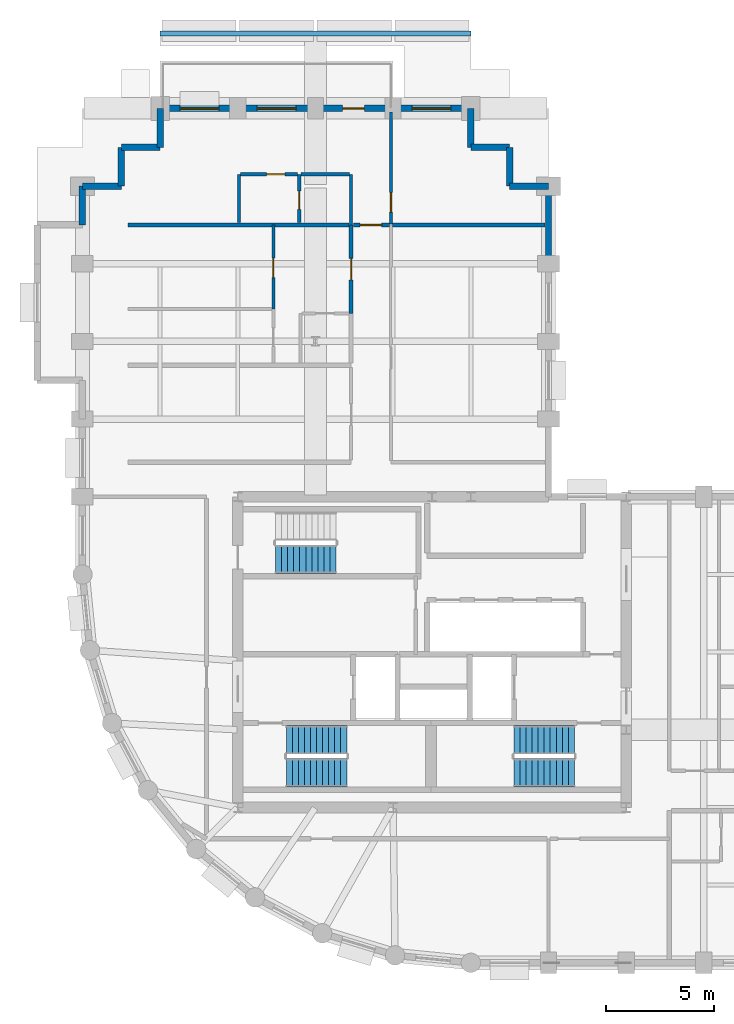
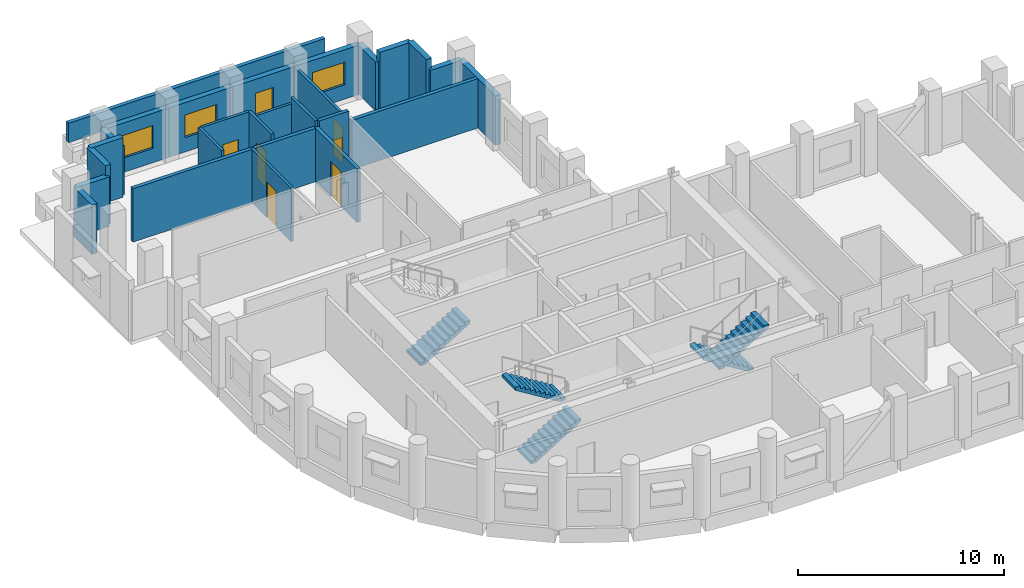
# One storey, part 7 of 10: 26 walls, 7 doors, 5 stair flights, 3 windows, 10 openings, 3 elements without a shape of their own.
"""IFC4 building model written with IfcOpenShell, lengths in metres."""

import ifcopenshell
import ifcopenshell.guid

model = None  # the IFC model being written
_history = None  # IfcOwnerHistory: only IFC2X3 demands one
_inside = {}  # id of a spatial element -> (the spatial element, [elements in it])
_under = {}  # id of a project, library or spatial element -> (it, [spatial elements below it])
_declared = {}  # id of a project -> (the project, [libraries it declares])
_typed = {}  # id of a type object -> (the type object, [elements of that type])
_made_of = {}  # id of a material, layer set ... -> (it, [elements and type objects made of it])


def new_model(schema):
    """Start an empty IFC model of exactly this schema.

    Asked for "IFC4X3", IfcOpenShell would pick the latest addendum, in which some entities
    have other attributes; the version numbers below select the first issue.
    IFC2X3 requires an IfcOwnerHistory on every rooted entity: one is made here for all.
    """
    global model, _history
    if schema == "IFC4X3":
        model = ifcopenshell.file(schema_version=(4, 3, 0, 0))
    else:
        model = ifcopenshell.file(schema=schema)
    _inside.clear()
    _under.clear()
    _declared.clear()
    _typed.clear()
    _made_of.clear()
    _history = None
    if model.schema == "IFC2X3":
        org = make("IfcOrganization", Name="unknown")
        user = make(
            "IfcPersonAndOrganization",
            ThePerson=make("IfcPerson", FamilyName="unknown"),
            TheOrganization=org,
        )
        app = make(
            "IfcApplication",
            ApplicationDeveloper=org,
            Version="unknown",
            ApplicationFullName="unknown",
            ApplicationIdentifier="unknown",
        )
        _history = make(
            "IfcOwnerHistory",
            OwningUser=user,
            OwningApplication=app,
            ChangeAction="ADDED",
            CreationDate=0,
        )
    return model


def make(cls, **values):
    """One entity of the class cls with the attributes given. An attribute that is None is left unset."""
    return model.create_entity(
        cls, **{name: value for name, value in values.items() if value is not None}
    )


def rooted(cls, **values):
    """An entity with a GlobalId (a new one), such as an element, a storey or a relation."""
    return make(cls, GlobalId=ifcopenshell.guid.new(), OwnerHistory=_history, **values)


def si_unit(unit_type, name, prefix=None):
    """IfcSIUnit, for example si_unit("LENGTHUNIT", "METRE", prefix="MILLI")."""
    return make("IfcSIUnit", UnitType=unit_type, Prefix=prefix, Name=name)


def assignment(units):
    """IfcUnitAssignment: the units of a project."""
    return None if units is None else make("IfcUnitAssignment", Units=units)


def point(xyz):
    """IfcCartesianPoint."""
    return None if xyz is None else make("IfcCartesianPoint", Coordinates=xyz)


def direction(xyz):
    """IfcDirection."""
    return None if xyz is None else make("IfcDirection", DirectionRatios=xyz)


def frame(location, z_axis=None, x_axis=None):
    """IfcAxis2Placement3D, a coordinate frame: its origin and axes. An axis left out is left unset."""
    return make(
        "IfcAxis2Placement3D",
        Location=point(location),
        Axis=direction(z_axis),
        RefDirection=direction(x_axis),
    )


def frame_2d(location, x_axis=None):
    """IfcAxis2Placement2D, a coordinate frame in the plane: its origin and x axis."""
    return make(
        "IfcAxis2Placement2D", Location=point(location), RefDirection=direction(x_axis)
    )


def origin():
    """The frame at (0, 0, 0) with its axes left unset."""
    return frame((0.0, 0.0, 0.0))


def place(relative_to, where):
    """IfcLocalPlacement: puts the frame where relative to a parent placement (None: the world)."""
    return make(
        "IfcLocalPlacement", PlacementRelTo=relative_to, RelativePlacement=where
    )


def context(
    kind, dimensions, precision=None, world=None, true_north=None, identifier=None
):
    """IfcGeometricRepresentationContext, for example the 3D "Model" context."""
    return make(
        "IfcGeometricRepresentationContext",
        ContextIdentifier=identifier,
        ContextType=kind,
        CoordinateSpaceDimension=dimensions,
        Precision=precision,
        WorldCoordinateSystem=world,
        TrueNorth=true_north,
    )


def subcontext(parent, identifier, kind, view, scale=None):
    """IfcGeometricRepresentationSubContext, for example "Body" below "Model"."""
    return make(
        "IfcGeometricRepresentationSubContext",
        ContextIdentifier=identifier,
        ContextType=kind,
        ParentContext=parent,
        TargetScale=scale,
        TargetView=view,
    )


def project(units=None, contexts=None):
    """IfcProject with its units and contexts."""
    return rooted(
        "IfcProject",
        Name="project",
        RepresentationContexts=contexts,
        UnitsInContext=assignment(units),
    )


def spatial(cls, under=None, at=None, **own):
    """A site, building, storey or space (cls), placed at a placement, below another one or the project."""
    s = rooted(cls, ObjectPlacement=at, **own)
    if under is not None:
        _under.setdefault(under.id(), (under, []))[1].append(s)
    return s


def polyline(points):
    """IfcPolyline through the points."""
    return make("IfcPolyline", Points=[point(p) for p in points])


def profile(cls, at=None, kind="AREA", **sizes):
    """A parametric profile (cls). Its sizes go by their IFC names, for example OverallWidth=200.0."""
    return make(cls, ProfileType=kind, Position=at, **sizes)


def rectangle(**sizes):
    """IfcRectangleProfileDef."""
    return profile("IfcRectangleProfileDef", **sizes)


def outline(outer, holes=None, kind="AREA"):
    """IfcArbitraryClosedProfileDef: a profile drawn as a closed curve; with holes, ...WithVoids."""
    if holes is None:
        return make("IfcArbitraryClosedProfileDef", ProfileType=kind, OuterCurve=outer)
    return make(
        "IfcArbitraryProfileDefWithVoids",
        ProfileType=kind,
        OuterCurve=outer,
        InnerCurves=holes,
    )


def extrude(swept, where, along, depth):
    """IfcExtrudedAreaSolid: the profile swept, set in the frame where, extruded along a direction by depth."""
    return make(
        "IfcExtrudedAreaSolid",
        SweptArea=swept,
        Position=where,
        ExtrudedDirection=direction(along),
        Depth=depth,
    )


def shape(context_of_items, identifier, shape_type, items):
    """IfcShapeRepresentation: the items that make up one representation, for example the "Body"."""
    return make(
        "IfcShapeRepresentation",
        ContextOfItems=context_of_items,
        RepresentationIdentifier=identifier,
        RepresentationType=shape_type,
        Items=items,
    )


def material(Name=None, Category=None):
    """IfcMaterial."""
    return make("IfcMaterial", Name=Name, Category=Category)


def layer(
    of_material, thickness, ventilated=None, Name=None, Category=None, Priority=None
):
    """IfcMaterialLayer: one layer of a wall or slab, of a material (None: an air gap)."""
    return make(
        "IfcMaterialLayer",
        Material=of_material,
        LayerThickness=thickness,
        IsVentilated=ventilated,
        Name=Name,
        Category=Category,
        Priority=Priority,
    )


def layer_set(layers, Name=None):
    """IfcMaterialLayerSet."""
    return make("IfcMaterialLayerSet", MaterialLayers=layers, LayerSetName=Name)


def made_of(thing, what):
    """Note that an element or type object is made of a material, layer set ...; save() writes the relation."""
    if what is not None:
        _made_of.setdefault(what.id(), (what, []))[1].append(thing)
    return thing


def type_object(cls, material=None, **own):
    """A type object (cls), such as IfcWallType, which elements share."""
    return made_of(rooted(cls, **own), material)


def element(
    cls,
    number,
    at=None,
    inside=None,
    cuts=None,
    type_object=None,
    material=None,
    context=None,
    identifier="Body",
    shape_type=None,
    held_by="IfcProductDefinitionShape",
    body=None,
    shapes=None,
    **own,
):
    """One element of the class cls, such as IfcWall. Its Tag is "e" and its number.

    at: its placement. inside: the storey or other place that contains it. cuts: it is an
    opening in that element (IfcRelVoidsElement). A single representation is given by context,
    identifier, shape_type and body (its items); several are given by shapes. held_by: the class
    of the entity that holds the representations. save() writes the other relations.
    """
    e = rooted(cls, Tag="e%d" % number, ObjectPlacement=at, **own)
    if body is not None:
        shapes = [shape(context, identifier, shape_type, body)]
    if shapes is not None:
        e.Representation = make(held_by, Representations=shapes)
    if inside is not None:
        _inside.setdefault(inside.id(), (inside, []))[1].append(e)
    if cuts is not None:
        rooted(
            "IfcRelVoidsElement", RelatingBuildingElement=cuts, RelatedOpeningElement=e
        )
    if type_object is not None:
        _typed.setdefault(type_object.id(), (type_object, []))[1].append(e)
    return made_of(e, material)


def fill(opening, filler):
    """IfcRelFillsElement: the door or window that sits in an opening."""
    return rooted(
        "IfcRelFillsElement",
        RelatingOpeningElement=opening,
        RelatedBuildingElement=filler,
    )


def aggregate(whole, parts):
    """IfcRelAggregates: a whole, such as a stair, and the parts it consists of."""
    return rooted("IfcRelAggregates", RelatingObject=whole, RelatedObjects=parts)


def save(model, path):
    """Write the relations noted so far, then the file.

    IfcRelAggregates (storeys below a building ...), IfcRelContainedInSpatialStructure (elements
    in a storey), IfcRelDefinesByType, IfcRelAssociatesMaterial and IfcRelDeclares: one each for
    every whole, place, type object, material and project.
    """
    for whole, parts in _under.values():
        aggregate(whole, parts)
    for where, things in _inside.values():
        rooted(
            "IfcRelContainedInSpatialStructure",
            RelatedElements=things,
            RelatingStructure=where,
        )
    for kind, things in _typed.values():
        rooted("IfcRelDefinesByType", RelatedObjects=things, RelatingType=kind)
    for what, things in _made_of.values():
        rooted("IfcRelAssociatesMaterial", RelatedObjects=things, RelatingMaterial=what)
    for by, libraries in _declared.values():
        rooted("IfcRelDeclares", RelatingContext=by, RelatedDefinitions=libraries)
    model.write(path)


model = new_model("IFC4")

# Units and contexts
model_context = context("Model", 3, precision=1e-05, world=origin(), true_north=direction((0.0, 1.0)))
body_context = subcontext(model_context, "Body", "Model", "MODEL_VIEW")
ifc_project = project(units=[si_unit("LENGTHUNIT", "METRE"), si_unit("AREAUNIT", "SQUARE_METRE"), si_unit("VOLUMEUNIT", "CUBIC_METRE"), si_unit("PLANEANGLEUNIT", "RADIAN"), si_unit("MASSUNIT", "GRAM", prefix="KILO")], contexts=[model_context])

# Site, building, storey
site_placement = place(None, origin())
site = spatial("IfcSite", under=ifc_project, at=site_placement, CompositionType="ELEMENT")
building_placement = place(site_placement, origin())
building = spatial("IfcBuilding", under=site, at=building_placement, Name="Solnavia Interchange Tower", CompositionType="ELEMENT")
storey_placement = place(building_placement, frame((0.0, 0.0, 127.60009765625)))
storey = spatial("IfcBuildingStorey", under=building, at=storey_placement, Name="L31", CompositionType="ELEMENT", Elevation=127.60009765625)

# Wall, opening, door
ifc_material_1 = material(Name="Gypsum Acoustic Twin-Stud & Mineral Wool", Category="gypsum")
ifc_layer_1 = layer(ifc_material_1, 0.199951171875)
ifc_layer_set_1 = layer_set([ifc_layer_1], Name="Gypsum Acoustic Twin-Stud & Mineral Wool")
wall_type_1 = type_object("IfcWallType", Name="Wall-ApartmentParty-200", PredefinedType="PARTITIONING", material=ifc_layer_set_1)
wall_1_placement = place(storey_placement, frame((19.64990234375, 33.699951171875, 0.0), z_axis=(0.0, 0.0, 1.0), x_axis=(0.0, 1.0, 0.0)))
wall_1 = element("IfcWall", 1, at=wall_1_placement, inside=storey, type_object=wall_type_1, Name="PTW-L31-45 Interior partition wall", PredefinedType="PARTITIONING", context=body_context, shape_type="SweptSolid", body=[
    extrude(rectangle(XDim=4.10009765625, YDim=0.199951171875, at=frame_2d((2.050048828125, 0.0))), origin(), (0.0, 0.0, 1.0), 3.169921875),
])
opening_1_placement = place(wall_1_placement, frame((1.550048828125, 0.0, 0.0)))
opening_1 = element("IfcOpeningElement", 2, at=opening_1_placement, cuts=wall_1, Name="Opening DR-06", PredefinedType="OPENING", context=body_context, shape_type="SweptSolid", body=[
    extrude(rectangle(XDim=1.0, YDim=2.10009765625, at=frame_2d((0.5, 1.050048828125))), frame((0.0, 0.10986328125, 0.0), z_axis=(0.0, -1.0, 0.0), x_axis=(1.0, 0.0, 0.0)), (0.0, 0.0, 1.0), 0.219970703125),
])
ifc_material_2 = material(Name="Engineered Timber Acoustic Fire Door", Category="wood")
door_type_1 = type_object("IfcDoorType", Name="Door-FlatEntry-1000x2100", OperationType="SINGLE_SWING_LEFT", PredefinedType="DOOR", material=ifc_material_2)
door_1_placement = place(opening_1_placement, origin())
door_1 = element("IfcDoor", 3, at=door_1_placement, inside=storey, type_object=door_type_1, Name="DR-L31-20 Interior room door", OperationType="SINGLE_SWING_RIGHT", OverallHeight=2.10009765625, OverallWidth=1.0, PredefinedType="DOOR", context=body_context, shape_type="SweptSolid", body=[
    extrude(rectangle(XDim=1.0, YDim=2.10009765625, at=frame_2d((0.5, 1.050048828125))), frame((0.0, 0.02490234375, 0.0), z_axis=(0.0, -1.0, 0.0), x_axis=(1.0, 0.0, 0.0)), (0.0, 0.0, 1.0), 0.050048828125),
])
fill(opening_1, door_1)

# Walls
wall_2_placement = place(storey_placement, frame((9.300048828125, 37.800048828125, 0.0), z_axis=(0.0, 0.0, 1.0), x_axis=(1.0, 0.0, 0.0)))
element("IfcWall", 4, at=wall_2_placement, inside=storey, type_object=wall_type_1, Name="PTW-L31-51 Interior partition wall", PredefinedType="PARTITIONING", context=body_context, shape_type="SweptSolid", body=[
    extrude(rectangle(XDim=10.245849609375, YDim=0.199951171875, at=frame_2d((5.123046875, 0.0))), origin(), (0.0, 0.0, 1.0), 3.169921875),
])
wall_3_placement = place(storey_placement, frame((21.5791015625, 37.800048828125, 0.0), z_axis=(0.0, 0.0, 1.0), x_axis=(1.0, 0.0, 0.0)))
element("IfcWall", 5, at=wall_3_placement, inside=storey, type_object=wall_type_1, Name="PTW-L31-52 Interior partition wall", PredefinedType="PARTITIONING", context=body_context, shape_type="SweptSolid", body=[
    extrude(rectangle(XDim=7.06689453125, YDim=0.199951171875, at=frame_2d((3.533447265625, 0.0))), origin(), (0.0, 0.0, 1.0), 2.929931640625),
])

# Wall, opening, door
wall_4_placement = place(storey_placement, frame((19.75390625, 37.800048828125, 0.0), z_axis=(0.0, 0.0, 1.0), x_axis=(1.0, 0.0, 0.0)))
wall_4 = element("IfcWall", 6, at=wall_4_placement, inside=storey, type_object=wall_type_1, Name="PTW-L31-53 Interior partition wall", PredefinedType="PARTITIONING", context=body_context, shape_type="SweptSolid", body=[
    extrude(rectangle(XDim=1.6669921875, YDim=0.199951171875, at=frame_2d((0.83349609375, 0.0))), origin(), (0.0, 0.0, 1.0), 3.534912109375),
])
opening_2_placement = place(wall_4_placement, frame((0.31396484375, 0.0, 0.0)))
opening_2 = element("IfcOpeningElement", 7, at=opening_2_placement, cuts=wall_4, Name="Opening DR-06", PredefinedType="OPENING", context=body_context, shape_type="SweptSolid", body=[
    extrude(rectangle(XDim=1.0, YDim=2.10009765625, at=frame_2d((0.5, 1.050048828125))), frame((0.0, 0.10986328125, 0.0), z_axis=(0.0, -1.0, 0.0), x_axis=(1.0, 0.0, 0.0)), (0.0, 0.0, 1.0), 0.219970703125),
])
door_2_placement = place(opening_2_placement, origin())
door_2 = element("IfcDoor", 8, at=door_2_placement, inside=storey, type_object=door_type_1, Name="DR-L31-24 Interior room door", OperationType="SINGLE_SWING_LEFT", OverallHeight=2.10009765625, OverallWidth=1.0, PredefinedType="DOOR", context=body_context, shape_type="SweptSolid", body=[
    extrude(rectangle(XDim=1.0, YDim=2.10009765625, at=frame_2d((0.5, 1.050048828125))), frame((0.0, 0.02490234375, 0.0), z_axis=(0.0, -1.0, 0.0), x_axis=(1.0, 0.0, 0.0)), (0.0, 0.0, 1.0), 0.050048828125),
])
fill(opening_2, door_2)

# Walls
ifc_material_3 = material(Name="Concrete C40/50", Category="concrete")
ifc_layer_2 = layer(ifc_material_3, 0.300048828125)
ifc_layer_set_2 = layer_set([ifc_layer_2], Name="Concrete C40/50")
wall_type_2 = type_object("IfcWallType", Name="Wall-ExtSpandrel-300", PredefinedType="STANDARD", material=ifc_layer_set_2)
wall_5_placement = place(storey_placement, frame((28.800048828125, 39.60009765625, 0.0), z_axis=(0.0, 0.0, 1.0), x_axis=(0.0, -1.0, 0.0)))
element("IfcWall", 9, at=wall_5_placement, inside=storey, type_object=wall_type_2, Name="EXW-L31-29 Exterior precast spandrel wall", PredefinedType="STANDARD", context=body_context, shape_type="SweptSolid", body=[
    extrude(rectangle(XDim=3.60009765625, YDim=0.300048828125, at=frame_2d((1.800048828125, 0.0))), origin(), (0.0, 0.0, 1.0), 2.929931640625),
])
wall_6_placement = place(storey_placement, frame((27.0, 39.60009765625, 0.0), z_axis=(0.0, 0.0, 1.0), x_axis=(1.0, 0.0, 0.0)))
element("IfcWall", 10, at=wall_6_placement, inside=storey, type_object=wall_type_2, Name="EXW-L31-30 Exterior precast spandrel wall", PredefinedType="STANDARD", context=body_context, shape_type="SweptSolid", body=[
    extrude(rectangle(XDim=1.800048828125, YDim=0.300048828125, at=frame_2d((0.89990234375, 0.0))), origin(), (0.0, 0.0, 1.0), 2.929931640625),
])
wall_7_placement = place(storey_placement, frame((27.0, 39.60009765625, 0.0), z_axis=(0.0, 0.0, 1.0), x_axis=(0.0, 1.0, 0.0)))
element("IfcWall", 11, at=wall_7_placement, inside=storey, type_object=wall_type_2, Name="EXW-L31-31 Exterior precast spandrel wall", PredefinedType="STANDARD", context=body_context, shape_type="SweptSolid", body=[
    extrude(rectangle(XDim=1.7998046875, YDim=0.300048828125, at=frame_2d((0.89990234375, 0.0))), origin(), (0.0, 0.0, 1.0), 3.534912109375),
])
wall_8_placement = place(storey_placement, frame((25.199951171875, 41.39990234375, 0.0), z_axis=(0.0, 0.0, 1.0), x_axis=(1.0, 0.0, 0.0)))
element("IfcWall", 12, at=wall_8_placement, inside=storey, type_object=wall_type_2, Name="EXW-L31-32 Exterior precast spandrel wall", PredefinedType="STANDARD", context=body_context, shape_type="SweptSolid", body=[
    extrude(rectangle(XDim=1.800048828125, YDim=0.300048828125, at=frame_2d((0.89990234375, 0.0))), origin(), (0.0, 0.0, 1.0), 3.534912109375),
])
wall_9_placement = place(storey_placement, frame((25.199951171875, 41.39990234375, 0.0), z_axis=(0.0, 0.0, 1.0), x_axis=(0.0, 1.0, 0.0)))
element("IfcWall", 13, at=wall_9_placement, inside=storey, type_object=wall_type_2, Name="EXW-L31-33 Exterior precast spandrel wall", PredefinedType="STANDARD", context=body_context, shape_type="SweptSolid", body=[
    extrude(rectangle(XDim=1.800048828125, YDim=0.300048828125, at=frame_2d((0.89990234375, 0.0))), origin(), (0.0, 0.0, 1.0), 2.929931640625),
])

# Wall, opening, window
wall_10_placement = place(storey_placement, frame((21.60009765625, 43.199951171875, 0.0), z_axis=(0.0, 0.0, 1.0), x_axis=(1.0, 0.0, 0.0)))
wall_10 = element("IfcWall", 14, at=wall_10_placement, inside=storey, type_object=wall_type_2, Name="EXW-L31-34 Exterior precast spandrel wall", PredefinedType="STANDARD", context=body_context, shape_type="SweptSolid", body=[
    extrude(rectangle(XDim=3.599853515625, YDim=0.300048828125, at=frame_2d((1.7998046875, 0.0))), origin(), (0.0, 0.0, 1.0), 2.929931640625),
])
opening_3_placement = place(wall_10_placement, frame((0.875, 0.0, 0.85009765625)))
opening_3 = element("IfcOpeningElement", 15, at=opening_3_placement, cuts=wall_10, Name="Opening WIN-02", PredefinedType="OPENING", context=body_context, shape_type="SweptSolid", body=[
    extrude(rectangle(XDim=1.800048828125, YDim=1.35009765625, at=frame_2d((0.89990234375, 0.675048828125))), frame((0.0, 0.16015625, 0.0), z_axis=(0.0, -1.0, 0.0), x_axis=(1.0, 0.0, 0.0)), (0.0, 0.0, 1.0), 0.320068359375),
])
ifc_material_4 = material(Name="Thermal-Break Aluminium & Low-E Glass", Category="aluminium")
window_type = type_object("IfcWindowType", Name="Window-Ribbon-1800x1350", PartitioningType="SINGLE_PANEL", PredefinedType="WINDOW", material=ifc_material_4)
window_1_placement = place(opening_3_placement, origin())
window_1 = element("IfcWindow", 16, at=window_1_placement, inside=storey, type_object=window_type, Name="WIN-L31-34 Facade ribbon window", OverallHeight=1.35009765625, OverallWidth=1.800048828125, PartitioningType="SINGLE_PANEL", PredefinedType="WINDOW", context=body_context, shape_type="SweptSolid", body=[
    extrude(rectangle(XDim=1.800048828125, YDim=1.35009765625, at=frame_2d((0.89990234375, 0.675048828125))), frame((0.0, 0.030029296875, 0.0), z_axis=(0.0, -1.0, 0.0), x_axis=(1.0, 0.0, 0.0)), (0.0, 0.0, 1.0), 0.06005859375),
])
fill(opening_3, window_1)

# Wall, opening, door
wall_11_placement = place(storey_placement, frame((18.0, 43.199951171875, 0.0), z_axis=(0.0, 0.0, 1.0), x_axis=(1.0, 0.0, 0.0)))
wall_11 = element("IfcWall", 17, at=wall_11_placement, inside=storey, type_object=wall_type_2, Name="EXW-L31-35 Exterior precast spandrel wall", PredefinedType="STANDARD", context=body_context, shape_type="SweptSolid", body=[
    extrude(rectangle(XDim=3.60009765625, YDim=0.300048828125, at=frame_2d((1.800048828125, 0.0))), origin(), (0.0, 0.0, 1.0), 2.929931640625),
])
opening_4_placement = place(wall_11_placement, frame((1.260986328125, 0.0, 0.0)))
opening_4 = element("IfcOpeningElement", 18, at=opening_4_placement, cuts=wall_11, Name="Opening EXD-05", PredefinedType="OPENING", context=body_context, shape_type="SweptSolid", body=[
    extrude(rectangle(XDim=1.0, YDim=2.10009765625, at=frame_2d((0.5, 1.050048828125))), frame((0.0, 0.16015625, 0.0), z_axis=(0.0, -1.0, 0.0), x_axis=(1.0, 0.0, 0.0)), (0.0, 0.0, 1.0), 0.320068359375),
])
ifc_material_5 = material(Name="Thermally Broken Aluminium & Laminated Glass", Category="aluminium")
door_type_2 = type_object("IfcDoorType", Name="Door-TerraceSingle-1000x2100", OperationType="SINGLE_SWING_LEFT", PredefinedType="DOOR", material=ifc_material_5)
door_3_placement = place(opening_4_placement, origin())
door_3 = element("IfcDoor", 19, at=door_3_placement, inside=storey, type_object=door_type_2, Name="EXD-L31-TER Spiral terrace glazed door", OperationType="SINGLE_SWING_LEFT", OverallHeight=2.10009765625, OverallWidth=1.0, PredefinedType="DOOR", context=body_context, shape_type="SweptSolid", body=[
    extrude(rectangle(XDim=1.0, YDim=2.10009765625, at=frame_2d((0.5, 1.050048828125))), frame((0.0, 0.02490234375, 0.0), z_axis=(0.0, -1.0, 0.0), x_axis=(1.0, 0.0, 0.0)), (0.0, 0.0, 1.0), 0.050048828125),
])
fill(opening_4, door_3)

# Wall, opening, window
wall_12_placement = place(storey_placement, frame((14.39990234375, 43.199951171875, 0.0), z_axis=(0.0, 0.0, 1.0), x_axis=(1.0, 0.0, 0.0)))
wall_12 = element("IfcWall", 20, at=wall_12_placement, inside=storey, type_object=wall_type_2, Name="EXW-L31-36 Exterior precast spandrel wall", PredefinedType="STANDARD", context=body_context, shape_type="SweptSolid", body=[
    extrude(rectangle(XDim=3.60009765625, YDim=0.300048828125, at=frame_2d((1.800048828125, 0.0))), origin(), (0.0, 0.0, 1.0), 2.929931640625),
])
opening_5_placement = place(wall_12_placement, frame((0.89990234375, 0.0, 0.85009765625)))
opening_5 = element("IfcOpeningElement", 21, at=opening_5_placement, cuts=wall_12, Name="Opening WIN-02", PredefinedType="OPENING", context=body_context, shape_type="SweptSolid", body=[
    extrude(rectangle(XDim=1.800048828125, YDim=1.35009765625, at=frame_2d((0.89990234375, 0.675048828125))), frame((0.0, 0.16015625, 0.0), z_axis=(0.0, -1.0, 0.0), x_axis=(1.0, 0.0, 0.0)), (0.0, 0.0, 1.0), 0.320068359375),
])
window_2_placement = place(opening_5_placement, origin())
window_2 = element("IfcWindow", 22, at=window_2_placement, inside=storey, type_object=window_type, Name="WIN-L31-36 Facade ribbon window", OverallHeight=1.35009765625, OverallWidth=1.800048828125, PartitioningType="SINGLE_PANEL", PredefinedType="WINDOW", context=body_context, shape_type="SweptSolid", body=[
    extrude(rectangle(XDim=1.800048828125, YDim=1.35009765625, at=frame_2d((0.89990234375, 0.675048828125))), frame((0.0, 0.030029296875, 0.0), z_axis=(0.0, -1.0, 0.0), x_axis=(1.0, 0.0, 0.0)), (0.0, 0.0, 1.0), 0.06005859375),
])
fill(opening_5, window_2)

wall_13_placement = place(storey_placement, frame((10.800048828125, 43.199951171875, 0.0), z_axis=(0.0, 0.0, 1.0), x_axis=(1.0, 0.0, 0.0)))
wall_13 = element("IfcWall", 23, at=wall_13_placement, inside=storey, type_object=wall_type_2, Name="EXW-L31-37 Exterior precast spandrel wall", PredefinedType="STANDARD", context=body_context, shape_type="SweptSolid", body=[
    extrude(rectangle(XDim=3.599853515625, YDim=0.300048828125, at=frame_2d((1.7998046875, 0.0))), origin(), (0.0, 0.0, 1.0), 2.929931640625),
])
opening_6_placement = place(wall_13_placement, frame((0.925048828125, 0.0, 0.85009765625)))
opening_6 = element("IfcOpeningElement", 24, at=opening_6_placement, cuts=wall_13, Name="Opening WIN-02", PredefinedType="OPENING", context=body_context, shape_type="SweptSolid", body=[
    extrude(rectangle(XDim=1.800048828125, YDim=1.35009765625, at=frame_2d((0.89990234375, 0.675048828125))), frame((0.0, 0.16015625, 0.0), z_axis=(0.0, -1.0, 0.0), x_axis=(1.0, 0.0, 0.0)), (0.0, 0.0, 1.0), 0.320068359375),
])
window_3_placement = place(opening_6_placement, origin())
window_3 = element("IfcWindow", 25, at=window_3_placement, inside=storey, type_object=window_type, Name="WIN-L31-37 Facade ribbon window", OverallHeight=1.35009765625, OverallWidth=1.800048828125, PartitioningType="SINGLE_PANEL", PredefinedType="WINDOW", context=body_context, shape_type="SweptSolid", body=[
    extrude(rectangle(XDim=1.800048828125, YDim=1.35009765625, at=frame_2d((0.89990234375, 0.675048828125))), frame((0.0, 0.030029296875, 0.0), z_axis=(0.0, -1.0, 0.0), x_axis=(1.0, 0.0, 0.0)), (0.0, 0.0, 1.0), 0.06005859375),
])
fill(opening_6, window_3)

# Walls
wall_14_placement = place(storey_placement, frame((10.800048828125, 41.39990234375, 0.0), z_axis=(0.0, 0.0, 1.0), x_axis=(0.0, 1.0, 0.0)))
element("IfcWall", 26, at=wall_14_placement, inside=storey, type_object=wall_type_2, Name="EXW-L31-38 Exterior precast spandrel wall", PredefinedType="STANDARD", context=body_context, shape_type="SweptSolid", body=[
    extrude(rectangle(XDim=1.800048828125, YDim=0.300048828125, at=frame_2d((0.89990234375, 0.0))), origin(), (0.0, 0.0, 1.0), 2.929931640625),
])
wall_15_placement = place(storey_placement, frame((9.0, 41.39990234375, 0.0), z_axis=(0.0, 0.0, 1.0), x_axis=(1.0, 0.0, 0.0)))
element("IfcWall", 27, at=wall_15_placement, inside=storey, type_object=wall_type_2, Name="EXW-L31-39 Exterior precast spandrel wall", PredefinedType="STANDARD", context=body_context, shape_type="SweptSolid", body=[
    extrude(rectangle(XDim=1.800048828125, YDim=0.300048828125, at=frame_2d((0.89990234375, 0.0))), origin(), (0.0, 0.0, 1.0), 3.534912109375),
])
wall_16_placement = place(storey_placement, frame((9.0, 39.60009765625, 0.0), z_axis=(0.0, 0.0, 1.0), x_axis=(0.0, 1.0, 0.0)))
element("IfcWall", 28, at=wall_16_placement, inside=storey, type_object=wall_type_2, Name="EXW-L31-40 Exterior precast spandrel wall", PredefinedType="STANDARD", context=body_context, shape_type="SweptSolid", body=[
    extrude(rectangle(XDim=1.7998046875, YDim=0.300048828125, at=frame_2d((0.89990234375, 0.0))), origin(), (0.0, 0.0, 1.0), 3.534912109375),
])
for number, where, z_axis, x_axis, name in (
    (29, (7.199951171875, 39.60009765625, 0.0), (0.0, 0.0, 1.0), (1.0, 0.0, 0.0), "EXW-L31-41 Exterior precast spandrel wall"),
    (30, (7.199951171875, 37.800048828125, 0.0), (0.0, 0.0, 1.0), (0.0, 1.0, 0.0), "EXW-L31-42 Exterior precast spandrel wall"),
):
    element("IfcWall", number, at=place(storey_placement, frame(where, z_axis=z_axis, x_axis=x_axis)), inside=storey, type_object=wall_type_2, Name=name, PredefinedType="STANDARD", context=body_context, shape_type="SweptSolid", body=[
        extrude(rectangle(XDim=1.800048828125, YDim=0.300048828125, at=frame_2d((0.89990234375, 0.0))), origin(), (0.0, 0.0, 1.0), 2.929931640625),
    ])
ifc_layer_3 = layer(ifc_material_3, 0.219970703125)
ifc_layer_set_3 = layer_set([ifc_layer_3], Name="Concrete C40/50")
wall_type_3 = type_object("IfcWallType", Name="Wall-Parapet-220", PredefinedType="PARAPET", material=ifc_layer_set_3)
wall_17_placement = place(storey_placement, frame((10.800048828125, 46.679931640625, 0.0), z_axis=(0.0, 0.0, 1.0), x_axis=(1.0, 0.0, 0.0)))
element("IfcWall", 31, at=wall_17_placement, inside=storey, type_object=wall_type_3, Name="PRP-L31-N1 North setback roof parapet", PredefinedType="PARAPET", context=body_context, shape_type="SweptSolid", body=[
    extrude(rectangle(XDim=14.39990234375, YDim=0.219970703125, at=frame_2d((7.199951171875, 0.0))), origin(), (0.0, 0.0, 1.0), 1.14990234375),
])

# Wall, opening, door
ifc_material_6 = material(Name="Gypsum Plasterboard & Steel Stud", Category="steel")
ifc_layer_4 = layer(ifc_material_6, 0.14990234375)
ifc_layer_set_4 = layer_set([ifc_layer_4], Name="Gypsum Plasterboard & Steel Stud")
wall_type_4 = type_object("IfcWallType", Name="Wall-Partition-150", PredefinedType="PARTITIONING", material=ifc_layer_set_4)
wall_18_placement = place(storey_placement, frame((16.050048828125, 33.89990234375, 0.0), z_axis=(0.0, 0.0, 1.0), x_axis=(0.0, 1.0, 0.0)))
wall_18 = element("IfcWall", 32, at=wall_18_placement, inside=storey, type_object=wall_type_4, Name="PTW-L31-46 Interior partition wall", PredefinedType="PARTITIONING", context=body_context, shape_type="SweptSolid", body=[
    extrude(rectangle(XDim=3.900146484375, YDim=0.14990234375, at=frame_2d((1.9501953125, 0.0))), origin(), (0.0, 0.0, 1.0), 3.169921875),
])
opening_7_placement = place(wall_18_placement, frame((1.4609375, 0.0, 0.0)))
opening_7 = element("IfcOpeningElement", 33, at=opening_7_placement, cuts=wall_18, Name="Opening DR-09", PredefinedType="OPENING", context=body_context, shape_type="SweptSolid", body=[
    extrude(rectangle(XDim=0.89990234375, YDim=2.10009765625, at=frame_2d((0.449951171875, 1.050048828125))), frame((0.0, 0.0849609375, 0.0), z_axis=(0.0, -1.0, 0.0), x_axis=(1.0, 0.0, 0.0)), (0.0, 0.0, 1.0), 0.169921875),
])
ifc_material_7 = material(Name="Engineered Oak Veneer Door", Category="wood")
door_type_3 = type_object("IfcDoorType", Name="Door-Internal-900x2100", OperationType="SINGLE_SWING_LEFT", PredefinedType="DOOR", material=ifc_material_7)
door_4_placement = place(opening_7_placement, origin())
door_4 = element("IfcDoor", 34, at=door_4_placement, inside=storey, type_object=door_type_3, Name="DR-L31-21 Interior room door", OperationType="SINGLE_SWING_LEFT", OverallHeight=2.10009765625, OverallWidth=0.89990234375, PredefinedType="DOOR", context=body_context, shape_type="SweptSolid", body=[
    extrude(rectangle(XDim=0.89990234375, YDim=2.10009765625, at=frame_2d((0.449951171875, 1.050048828125))), frame((0.0, 0.02490234375, 0.0), z_axis=(0.0, -1.0, 0.0), x_axis=(1.0, 0.0, 0.0)), (0.0, 0.0, 1.0), 0.050048828125),
])
fill(opening_7, door_4)

wall_19_placement = place(storey_placement, frame((21.5, 37.84619140625, 0.0), z_axis=(0.0, 0.0, 1.0), x_axis=(0.0, 1.0, 0.0)))
wall_19 = element("IfcWall", 35, at=wall_19_placement, inside=storey, type_object=wall_type_4, Name="PTW-L31-57 Interior partition wall", PredefinedType="PARTITIONING", context=body_context, shape_type="SweptSolid", body=[
    extrude(rectangle(XDim=5.19970703125, YDim=0.14990234375, at=frame_2d((2.599853515625, 0.0))), origin(), (0.0, 0.0, 1.0), 2.929931640625),
])
opening_8_placement = place(wall_19_placement, frame((0.550048828125, 0.0, 0.0)))
opening_8 = element("IfcOpeningElement", 36, at=opening_8_placement, cuts=wall_19, Name="Opening DR-09", PredefinedType="OPENING", context=body_context, shape_type="SweptSolid", body=[
    extrude(rectangle(XDim=0.89990234375, YDim=2.10009765625, at=frame_2d((0.449951171875, 1.050048828125))), frame((0.0, 0.0849609375, 0.0), z_axis=(0.0, -1.0, 0.0), x_axis=(1.0, 0.0, 0.0)), (0.0, 0.0, 1.0), 0.169921875),
])
door_5_placement = place(opening_8_placement, origin())
door_5 = element("IfcDoor", 37, at=door_5_placement, inside=storey, type_object=door_type_3, Name="DR-L31-26 Interior room door", OperationType="SINGLE_SWING_RIGHT", OverallHeight=2.10009765625, OverallWidth=0.89990234375, PredefinedType="DOOR", context=body_context, shape_type="SweptSolid", body=[
    extrude(rectangle(XDim=0.89990234375, YDim=2.10009765625, at=frame_2d((0.449951171875, 1.050048828125))), frame((0.0, 0.02490234375, 0.0), z_axis=(0.0, -1.0, 0.0), x_axis=(1.0, 0.0, 0.0)), (0.0, 0.0, 1.0), 0.050048828125),
])
fill(opening_8, door_5)

# Wall
ifc_material_8 = material(Name="Moisture-Resistant Gypsum & Steel Stud", Category="steel")
ifc_layer_5 = layer(ifc_material_8, 0.14990234375)
ifc_layer_set_5 = layer_set([ifc_layer_5], Name="Moisture-Resistant Gypsum & Steel Stud")
wall_type_5 = type_object("IfcWallType", Name="Wall-WetRoom-150", PredefinedType="PARTITIONING", material=ifc_layer_set_5)
wall_20_placement = place(storey_placement, frame((19.64990234375, 37.800048828125, 0.0), z_axis=(0.0, 0.0, 1.0), x_axis=(0.0, 1.0, 0.0)))
element("IfcWall", 38, at=wall_20_placement, inside=storey, type_object=wall_type_5, Name="PTW-L31-54 Interior partition wall", PredefinedType="PARTITIONING", context=body_context, shape_type="SweptSolid", body=[
    extrude(rectangle(XDim=2.349853515625, YDim=0.14990234375, at=frame_2d((1.1748046875, 0.0))), origin(), (0.0, 0.0, 1.0), 3.534912109375),
])

# Wall, opening, door
wall_21_placement = place(storey_placement, frame((17.25, 37.904052734375, 0.0), z_axis=(0.0, 0.0, 1.0), x_axis=(0.0, 1.0, 0.0)))
wall_21 = element("IfcWall", 39, at=wall_21_placement, inside=storey, type_object=wall_type_5, Name="PTW-L31-55 Interior partition wall", PredefinedType="PARTITIONING", context=body_context, shape_type="SweptSolid", body=[
    extrude(rectangle(XDim=2.245849609375, YDim=0.14990234375, at=frame_2d((1.123046875, 0.0))), origin(), (0.0, 0.0, 1.0), 3.534912109375),
])
opening_9_placement = place(wall_21_placement, frame((0.615966796875, 0.0, 0.0)))
opening_9 = element("IfcOpeningElement", 40, at=opening_9_placement, cuts=wall_21, Name="Opening DR-10", PredefinedType="OPENING", context=body_context, shape_type="SweptSolid", body=[
    extrude(rectangle(XDim=0.85009765625, YDim=2.10009765625, at=frame_2d((0.425048828125, 1.050048828125))), frame((0.0, 0.0849609375, 0.0), z_axis=(0.0, -1.0, 0.0), x_axis=(1.0, 0.0, 0.0)), (0.0, 0.0, 1.0), 0.169921875),
])
ifc_material_9 = material(Name="Moisture-Resistant Timber Door", Category="wood")
door_type_4 = type_object("IfcDoorType", Name="Door-Bathroom-850x2100", OperationType="SINGLE_SWING_RIGHT", PredefinedType="DOOR", material=ifc_material_9)
door_6_placement = place(opening_9_placement, origin())
door_6 = element("IfcDoor", 41, at=door_6_placement, inside=storey, type_object=door_type_4, Name="DR-L31-25 Interior room door", OperationType="SINGLE_SWING_LEFT", OverallHeight=2.10009765625, OverallWidth=0.85009765625, PredefinedType="DOOR", context=body_context, shape_type="SweptSolid", body=[
    extrude(rectangle(XDim=0.85009765625, YDim=2.10009765625, at=frame_2d((0.425048828125, 1.050048828125))), frame((0.0, 0.02490234375, 0.0), z_axis=(0.0, -1.0, 0.0), x_axis=(1.0, 0.0, 0.0)), (0.0, 0.0, 1.0), 0.050048828125),
])
fill(opening_9, door_6)

# Walls
wall_22_placement = place(storey_placement, frame((17.3291015625, 40.14990234375, 0.0), z_axis=(0.0, 0.0, 1.0), x_axis=(1.0, 0.0, 0.0)))
element("IfcWall", 42, at=wall_22_placement, inside=storey, type_object=wall_type_5, Name="PTW-L31-56 Interior partition wall", PredefinedType="PARTITIONING", context=body_context, shape_type="SweptSolid", body=[
    extrude(rectangle(XDim=2.241943359375, YDim=0.14990234375, at=frame_2d((1.12109375, 0.0))), origin(), (0.0, 0.0, 1.0), 3.169921875),
])
wall_23_placement = place(storey_placement, frame((14.449951171875, 37.904052734375, 0.0), z_axis=(0.0, 0.0, 1.0), x_axis=(0.0, 1.0, 0.0)))
element("IfcWall", 43, at=wall_23_placement, inside=storey, type_object=wall_type_5, Name="PTW-L31-58 Interior partition wall", PredefinedType="PARTITIONING", context=body_context, shape_type="SweptSolid", body=[
    extrude(rectangle(XDim=2.245849609375, YDim=0.14990234375, at=frame_2d((1.123046875, 0.0))), origin(), (0.0, 0.0, 1.0), 3.534912109375),
])

# Wall, opening, door
wall_24_placement = place(storey_placement, frame((14.529052734375, 40.14990234375, 0.0), z_axis=(0.0, 0.0, 1.0), x_axis=(1.0, 0.0, 0.0)))
wall_24 = element("IfcWall", 44, at=wall_24_placement, inside=storey, type_object=wall_type_5, Name="PTW-L31-59 Interior partition wall", PredefinedType="PARTITIONING", context=body_context, shape_type="SweptSolid", body=[
    extrude(rectangle(XDim=2.641845703125, YDim=0.14990234375, at=frame_2d((1.32080078125, 0.0))), origin(), (0.0, 0.0, 1.0), 3.534912109375),
])
opening_10_placement = place(wall_24_placement, frame((1.2041015625, 0.0, 0.0)))
opening_10 = element("IfcOpeningElement", 45, at=opening_10_placement, cuts=wall_24, Name="Opening DR-10", PredefinedType="OPENING", context=body_context, shape_type="SweptSolid", body=[
    extrude(rectangle(XDim=0.85009765625, YDim=2.10009765625, at=frame_2d((0.425048828125, 1.050048828125))), frame((0.0, 0.0849609375, 0.0), z_axis=(0.0, -1.0, 0.0), x_axis=(1.0, 0.0, 0.0)), (0.0, 0.0, 1.0), 0.169921875),
])
door_7_placement = place(opening_10_placement, origin())
door_7 = element("IfcDoor", 46, at=door_7_placement, inside=storey, type_object=door_type_4, Name="DR-L31-27 Interior room door", OperationType="SINGLE_SWING_LEFT", OverallHeight=2.10009765625, OverallWidth=0.85009765625, PredefinedType="DOOR", context=body_context, shape_type="SweptSolid", body=[
    extrude(rectangle(XDim=0.85009765625, YDim=2.10009765625, at=frame_2d((0.425048828125, 1.050048828125))), frame((0.0, 0.02490234375, 0.0), z_axis=(0.0, -1.0, 0.0), x_axis=(1.0, 0.0, 0.0)), (0.0, 0.0, 1.0), 0.050048828125),
])
fill(opening_10, door_7)

# Stair, stair flights
stair_type = type_object("IfcStairType", Name="Stair-Dogleg-RC", PredefinedType="HALF_TURN_STAIR", material=ifc_material_3)
stair_1_placement = place(storey_placement, origin())
stair_1 = element("IfcStair", 47, at=stair_1_placement, inside=storey, type_object=stair_type, Name="L31 Core exit stair 1", PredefinedType="HALF_TURN_STAIR")
stair_flight_type = type_object("IfcStairFlightType", Name="StairFlight-RC-150", PredefinedType="STRAIGHT", material=ifc_material_3)
stair_flight_1_placement = place(storey_placement, frame((16.64990234375, 12.409912109375, 0.0), z_axis=(0.0, 0.0, 1.0), x_axis=(1.0, 0.0, 0.0)))
stair_flight_1 = element("IfcStairFlight", 48, at=stair_flight_1_placement, type_object=stair_flight_type, Name="ST-1 flight 1", NumberOfRisers=11, NumberOfTreads=10, PredefinedType="STRAIGHT", RiserHeight=0.172727273, TreadLength=0.28, context=body_context, shape_type="SweptSolid", body=[
    extrude(outline(polyline([(0.0, 0.0), (0.0, 0.172607421875), (0.280029296875, 0.172607421875), (0.280029296875, 0.345458984375), (0.56005859375, 0.345458984375), (0.56005859375, 0.51806640625), (0.840087890625, 0.51806640625), (0.840087890625, 0.69091796875), (1.1201171875, 0.69091796875), (1.1201171875, 0.863525390625), (1.39990234375, 0.863525390625), (1.39990234375, 1.036376953125), (1.679931640625, 1.036376953125), (1.679931640625, 1.208984375), (1.9599609375, 1.208984375), (1.9599609375, 1.3818359375), (2.239990234375, 1.3818359375), (2.239990234375, 1.554443359375), (2.52001953125, 1.554443359375), (2.52001953125, 1.727294921875), (2.800048828125, 1.727294921875), (2.800048828125, 1.89990234375), (2.800048828125, 1.551025390625), (0.285400390625, 0.0), (0.0, 0.0)])), frame((0.0, 0.66015625, 0.0), z_axis=(0.0, -1.0, 0.0), x_axis=(1.0, 0.0, 0.0)), (0.0, 0.0, 1.0), 1.320068359375),
])
stair_flight_2_placement = place(storey_placement, frame((19.449951171875, 13.929931640625, 1.89990234375), z_axis=(0.0, 0.0, 1.0), x_axis=(-1.0, 0.0, 0.0)))
stair_flight_2 = element("IfcStairFlight", 49, at=stair_flight_2_placement, type_object=stair_flight_type, Name="ST-1 flight 2", NumberOfRisers=11, NumberOfTreads=10, PredefinedType="STRAIGHT", RiserHeight=0.172727273, TreadLength=0.28, context=body_context, shape_type="SweptSolid", body=[
    extrude(outline(polyline([(0.0, 0.0), (0.0, 0.172607421875), (0.280029296875, 0.172607421875), (0.280029296875, 0.345458984375), (0.56005859375, 0.345458984375), (0.56005859375, 0.51806640625), (0.840087890625, 0.51806640625), (0.840087890625, 0.69091796875), (1.1201171875, 0.69091796875), (1.1201171875, 0.863525390625), (1.39990234375, 0.863525390625), (1.39990234375, 1.036376953125), (1.679931640625, 1.036376953125), (1.679931640625, 1.208984375), (1.9599609375, 1.208984375), (1.9599609375, 1.3818359375), (2.239990234375, 1.3818359375), (2.239990234375, 1.554443359375), (2.52001953125, 1.554443359375), (2.52001953125, 1.727294921875), (2.800048828125, 1.727294921875), (2.800048828125, 1.89990234375), (2.800048828125, 1.551025390625), (0.285400390625, 0.0), (0.0, 0.0)])), frame((0.0, 0.66015625, 0.0), z_axis=(0.0, -1.0, 0.0), x_axis=(1.0, 0.0, 0.0)), (0.0, 0.0, 1.0), 1.320068359375),
])
aggregate(stair_1, [stair_flight_1, stair_flight_2])

stair_2_placement = place(storey_placement, origin())
stair_2 = element("IfcStair", 50, at=stair_2_placement, inside=storey, type_object=stair_type, Name="L31 Core exit stair 2", PredefinedType="HALF_TURN_STAIR")
stair_flight_3_placement = place(storey_placement, frame((30.0, 13.929931640625, 0.0), z_axis=(0.0, 0.0, 1.0), x_axis=(-1.0, 0.0, 0.0)))
stair_flight_3 = element("IfcStairFlight", 51, at=stair_flight_3_placement, type_object=stair_flight_type, Name="ST-2 flight 1", NumberOfRisers=11, NumberOfTreads=10, PredefinedType="STRAIGHT", RiserHeight=0.172727273, TreadLength=0.28, context=body_context, shape_type="SweptSolid", body=[
    extrude(outline(polyline([(0.0, 0.0), (0.0, 0.172607421875), (0.280029296875, 0.172607421875), (0.280029296875, 0.345458984375), (0.56005859375, 0.345458984375), (0.56005859375, 0.51806640625), (0.840087890625, 0.51806640625), (0.840087890625, 0.69091796875), (1.1201171875, 0.69091796875), (1.1201171875, 0.863525390625), (1.39990234375, 0.863525390625), (1.39990234375, 1.036376953125), (1.679931640625, 1.036376953125), (1.679931640625, 1.208984375), (1.9599609375, 1.208984375), (1.9599609375, 1.3818359375), (2.239990234375, 1.3818359375), (2.239990234375, 1.554443359375), (2.52001953125, 1.554443359375), (2.52001953125, 1.727294921875), (2.800048828125, 1.727294921875), (2.800048828125, 1.89990234375), (2.800048828125, 1.551025390625), (0.285400390625, 0.0), (0.0, 0.0)])), frame((0.0, 0.66015625, 0.0), z_axis=(0.0, -1.0, 0.0), x_axis=(1.0, 0.0, 0.0)), (0.0, 0.0, 1.0), 1.320068359375),
])
stair_flight_4_placement = place(storey_placement, frame((27.199951171875, 12.409912109375, 1.89990234375), z_axis=(0.0, 0.0, 1.0), x_axis=(1.0, 0.0, 0.0)))
stair_flight_4 = element("IfcStairFlight", 52, at=stair_flight_4_placement, type_object=stair_flight_type, Name="ST-2 flight 2", NumberOfRisers=11, NumberOfTreads=10, PredefinedType="STRAIGHT", RiserHeight=0.172727273, TreadLength=0.28, context=body_context, shape_type="SweptSolid", body=[
    extrude(outline(polyline([(0.0, 0.0), (0.0, 0.172607421875), (0.280029296875, 0.172607421875), (0.280029296875, 0.345458984375), (0.56005859375, 0.345458984375), (0.56005859375, 0.51806640625), (0.840087890625, 0.51806640625), (0.840087890625, 0.69091796875), (1.1201171875, 0.69091796875), (1.1201171875, 0.863525390625), (1.39990234375, 0.863525390625), (1.39990234375, 1.036376953125), (1.679931640625, 1.036376953125), (1.679931640625, 1.208984375), (1.9599609375, 1.208984375), (1.9599609375, 1.3818359375), (2.239990234375, 1.3818359375), (2.239990234375, 1.554443359375), (2.52001953125, 1.554443359375), (2.52001953125, 1.727294921875), (2.800048828125, 1.727294921875), (2.800048828125, 1.89990234375), (2.800048828125, 1.551025390625), (0.285400390625, 0.0), (0.0, 0.0)])), frame((0.0, 0.66015625, 0.0), z_axis=(0.0, -1.0, 0.0), x_axis=(1.0, 0.0, 0.0)), (0.0, 0.0, 1.0), 1.320068359375),
])
aggregate(stair_2, [stair_flight_3, stair_flight_4])

# Stair, stair flight
stair_3_placement = place(storey_placement, origin())
stair_3 = element("IfcStair", 53, at=stair_3_placement, inside=storey, type_object=stair_type, Name="L31 Core exit stair 3", PredefinedType="HALF_TURN_STAIR")
stair_flight_5_placement = place(storey_placement, frame((16.14990234375, 22.31005859375, 0.0), z_axis=(0.0, 0.0, 1.0), x_axis=(1.0, 0.0, 0.0)))
stair_flight_5 = element("IfcStairFlight", 54, at=stair_flight_5_placement, type_object=stair_flight_type, Name="ST-3 flight 1", NumberOfRisers=11, NumberOfTreads=10, PredefinedType="STRAIGHT", RiserHeight=0.172727273, TreadLength=0.28, context=body_context, shape_type="SweptSolid", body=[
    extrude(outline(polyline([(0.0, 0.0), (0.0, 0.172607421875), (0.280029296875, 0.172607421875), (0.280029296875, 0.345458984375), (0.56005859375, 0.345458984375), (0.56005859375, 0.51806640625), (0.840087890625, 0.51806640625), (0.840087890625, 0.69091796875), (1.1201171875, 0.69091796875), (1.1201171875, 0.863525390625), (1.39990234375, 0.863525390625), (1.39990234375, 1.036376953125), (1.679931640625, 1.036376953125), (1.679931640625, 1.208984375), (1.9599609375, 1.208984375), (1.9599609375, 1.3818359375), (2.239990234375, 1.3818359375), (2.239990234375, 1.554443359375), (2.52001953125, 1.554443359375), (2.52001953125, 1.727294921875), (2.800048828125, 1.727294921875), (2.800048828125, 1.89990234375), (2.800048828125, 1.551025390625), (0.285400390625, 0.0), (0.0, 0.0)])), frame((0.0, 0.66015625, 0.0), z_axis=(0.0, -1.0, 0.0), x_axis=(1.0, 0.0, 0.0)), (0.0, 0.0, 1.0), 1.320068359375),
])
aggregate(stair_3, [stair_flight_5])

save(model, "model.ifc")
